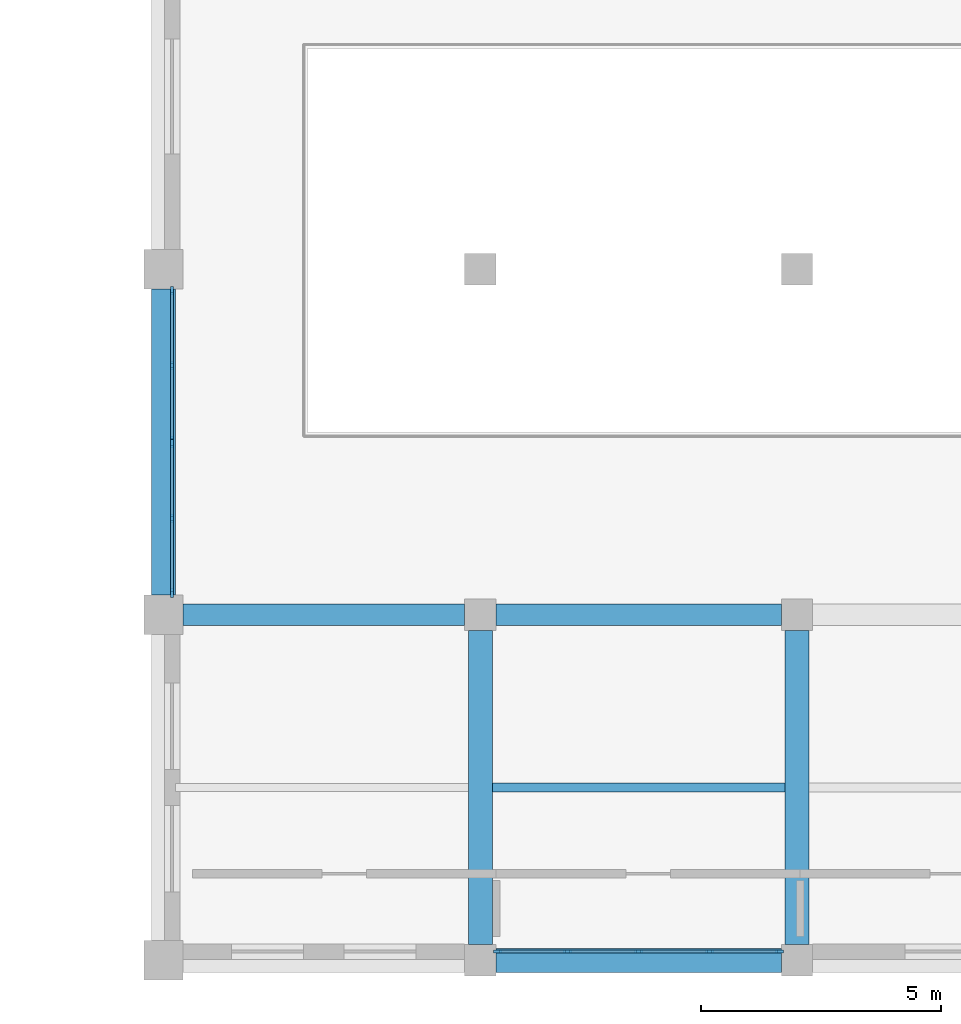
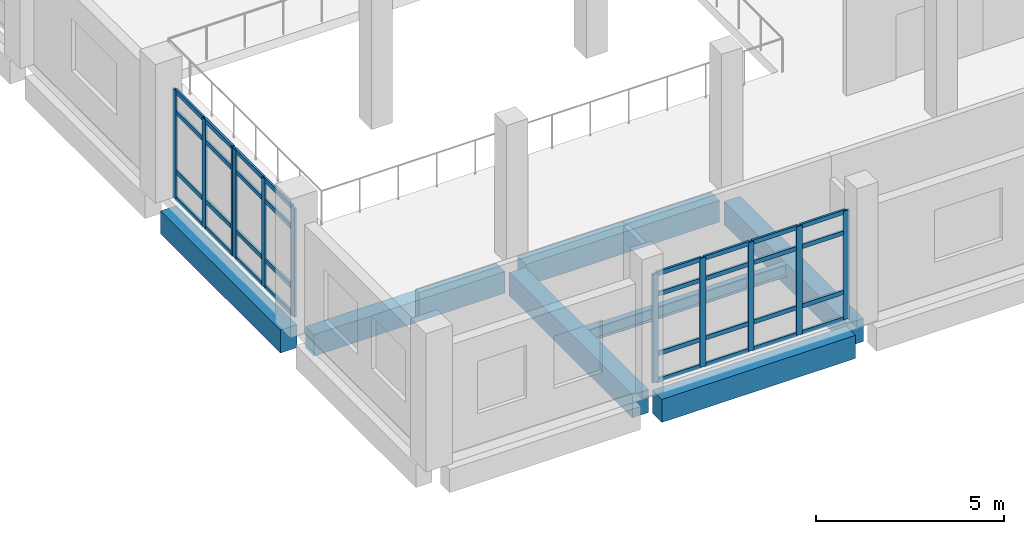
# One storey, part 3 of 54: 43 members, 7 beams, 3 elements without a shape of their own.
"""IFC4 building model written with IfcOpenShell, lengths in metres."""

from ifc_helpers import new_model, si_unit, direction, frame, origin, origin_2d, place, context, subcontext, project, spatial, rectangle, i_section, extrude, material, layer, layer_set, material_profile, profile_set, type_object, element, aggregate, save


model = new_model("IFC4")

# Units and contexts
model_context = context("Model", 3, precision=1e-05, world=origin(), true_north=direction((0.0, 1.0)))
body_context = subcontext(model_context, "Body", "Model", "MODEL_VIEW")
ifc_project = project(units=[si_unit("LENGTHUNIT", "METRE"), si_unit("AREAUNIT", "SQUARE_METRE"), si_unit("VOLUMEUNIT", "CUBIC_METRE"), si_unit("PLANEANGLEUNIT", "RADIAN"), si_unit("MASSUNIT", "GRAM", prefix="KILO")], contexts=[model_context])

# Site, building, storey
site_placement = place(None, origin())
site = spatial("IfcSite", under=ifc_project, at=site_placement, CompositionType="ELEMENT")
building_placement = place(site_placement, origin())
building = spatial("IfcBuilding", under=site, at=building_placement, Name="Kelarvand Opera House", CompositionType="ELEMENT")
storey_placement = place(building_placement, frame((0.0, 0.0, 15.0)))
storey = spatial("IfcBuildingStorey", under=building, at=storey_placement, Name="L03", CompositionType="ELEMENT", Elevation=15.0)

# Curtain wall, members
ifc_material_1 = material(Name="Thermally broken aluminium and low-E glazing", Category="aluminium")
ifc_layer_1 = layer(ifc_material_1, 0.179931640625, Name="Thermally broken aluminium and low-E glazing", Category="aluminium")
ifc_layer_set_1 = layer_set([ifc_layer_1], Name="Thermally broken aluminium and low-E glazing")
curtain_wall_type_1 = type_object("IfcCurtainWallType", Name="Unitised Low-E Curtain Wall 3176x3530 Mod 1350 CWF-59", PredefinedType="USERDEFINED", material=ifc_layer_set_1)
curtain_wall_1_placement = place(storey_placement, origin())
curtain_wall_1 = element("IfcCurtainWall", 1, at=curtain_wall_1_placement, inside=storey, type_object=curtain_wall_type_1, Name="V6 L03 Curtain Wall CWF-59 (234)", ObjectType="UNITISED CURTAIN WALL", PredefinedType="USERDEFINED")
ifc_material_2 = material(Name="Thermally broken anodised aluminium", Category="aluminium")
ifc_material_profile_1 = material_profile(ifc_material_2, rectangle(XDim=0.06494140625, YDim=0.179931640625, at=origin_2d()), Name="ALU MULLION 65x180", Category="aluminium")
ifc_profile_set_1 = profile_set([ifc_material_profile_1], Name="Thermally broken anodised aluminium")
member_type_1 = type_object("IfcMemberType", Name="Curtain Wall Mullion 65x180 Aluminium", PredefinedType="MULLION", material=ifc_profile_set_1)
member_1_placement = place(storey_placement, frame((89.179931640625, 16.652587890625, 0.0), z_axis=(0.0, 0.0, 1.0), x_axis=(-1.0, 0.0, 0.0)))
member_1 = element("IfcMember", 2, at=member_1_placement, type_object=member_type_1, Name="CWF-59 mullion 1", PredefinedType="MULLION", context=body_context, shape_type="SweptSolid", body=[
    extrude(rectangle(XDim=0.06494140625, YDim=0.179931640625, at=origin_2d()), origin(), (0.0, 0.0, 1.0), 3.530029296875),
])
member_2_placement = place(storey_placement, frame((89.179931640625, 18.2080078125, 0.0), z_axis=(0.0, 0.0, 1.0), x_axis=(-1.0, 0.0, 0.0)))
member_2 = element("IfcMember", 3, at=member_2_placement, type_object=member_type_1, Name="CWF-59 mullion 2", PredefinedType="MULLION", context=body_context, shape_type="SweptSolid", body=[
    extrude(rectangle(XDim=0.06494140625, YDim=0.179931640625, at=origin_2d()), origin(), (0.0, 0.0, 1.0), 3.530029296875),
])
member_3_placement = place(storey_placement, frame((89.179931640625, 19.763427734375, 0.0), z_axis=(0.0, 0.0, 1.0), x_axis=(-1.0, 0.0, 0.0)))
member_3 = element("IfcMember", 4, at=member_3_placement, type_object=member_type_1, Name="CWF-59 mullion 3", PredefinedType="MULLION", context=body_context, shape_type="SweptSolid", body=[
    extrude(rectangle(XDim=0.06494140625, YDim=0.179931640625, at=origin_2d()), origin(), (0.0, 0.0, 1.0), 3.530029296875),
])

curtain_wall_2_placement = place(storey_placement, origin())
curtain_wall_2 = element("IfcCurtainWall", 5, at=curtain_wall_2_placement, inside=storey, type_object=curtain_wall_type_1, Name="V6 L03 Curtain Wall CWF-59 (235)", ObjectType="UNITISED CURTAIN WALL", PredefinedType="USERDEFINED")
member_4_placement = place(storey_placement, frame((89.179931640625, 19.83251953125, 0.0), z_axis=(0.0, 0.0, 1.0), x_axis=(-1.0, 0.0, 0.0)))
member_4 = element("IfcMember", 6, at=member_4_placement, type_object=member_type_1, Name="CWF-59 mullion 1", PredefinedType="MULLION", context=body_context, shape_type="SweptSolid", body=[
    extrude(rectangle(XDim=0.06494140625, YDim=0.179931640625, at=origin_2d()), origin(), (0.0, 0.0, 1.0), 3.530029296875),
])
member_5_placement = place(storey_placement, frame((89.179931640625, 21.389892578125, 0.0), z_axis=(0.0, 0.0, 1.0), x_axis=(-1.0, 0.0, 0.0)))
member_5 = element("IfcMember", 7, at=member_5_placement, type_object=member_type_1, Name="CWF-59 mullion 2", PredefinedType="MULLION", context=body_context, shape_type="SweptSolid", body=[
    extrude(rectangle(XDim=0.06494140625, YDim=0.179931640625, at=origin_2d()), origin(), (0.0, 0.0, 1.0), 3.530029296875),
])
member_6_placement = place(storey_placement, frame((89.179931640625, 22.947509765625, 0.0), z_axis=(0.0, 0.0, 1.0), x_axis=(-1.0, 0.0, 0.0)))
member_6 = element("IfcMember", 8, at=member_6_placement, type_object=member_type_1, Name="CWF-59 mullion 3", PredefinedType="MULLION", context=body_context, shape_type="SweptSolid", body=[
    extrude(rectangle(XDim=0.06494140625, YDim=0.179931640625, at=origin_2d()), origin(), (0.0, 0.0, 1.0), 3.530029296875),
])

ifc_layer_2 = layer(ifc_material_1, 0.179931640625, Name="Thermally broken aluminium and low-E glazing", Category="aluminium")
ifc_layer_set_2 = layer_set([ifc_layer_2], Name="Thermally broken aluminium and low-E glazing")
curtain_wall_type_2 = type_object("IfcCurtainWallType", Name="Unitised Low-E Curtain Wall 5930x3530 Mod 1350 CWF-60", PredefinedType="USERDEFINED", material=ifc_layer_set_2)
curtain_wall_3_placement = place(storey_placement, origin())
curtain_wall_3 = element("IfcCurtainWall", 9, at=curtain_wall_3_placement, inside=storey, type_object=curtain_wall_type_2, Name="V6 L03 Curtain Wall CWF-60 (240)", ObjectType="UNITISED CURTAIN WALL", PredefinedType="USERDEFINED")
member_7_placement = place(storey_placement, frame((101.83251953125, 9.179931640625, 0.0), z_axis=(0.0, 0.0, 1.0), x_axis=(0.0, -1.0, 0.0)))
member_7 = element("IfcMember", 10, at=member_7_placement, type_object=member_type_1, Name="CWF-60 mullion 1", PredefinedType="MULLION", context=body_context, shape_type="SweptSolid", body=[
    extrude(rectangle(XDim=0.06494140625, YDim=0.179931640625, at=origin_2d()), origin(), (0.0, 0.0, 1.0), 3.530029296875),
])
member_8_placement = place(storey_placement, frame((100.382568359375, 9.179931640625, 0.0), z_axis=(0.0, 0.0, 1.0), x_axis=(0.0, -1.0, 0.0)))
member_8 = element("IfcMember", 11, at=member_8_placement, type_object=member_type_1, Name="CWF-60 mullion 2", PredefinedType="MULLION", context=body_context, shape_type="SweptSolid", body=[
    extrude(rectangle(XDim=0.06494140625, YDim=0.179931640625, at=origin_2d()), origin(), (0.0, 0.0, 1.0), 3.530029296875),
])
member_9_placement = place(storey_placement, frame((98.89990234375, 9.179931640625, 0.0), z_axis=(0.0, 0.0, 1.0), x_axis=(0.0, -1.0, 0.0)))
member_9 = element("IfcMember", 12, at=member_9_placement, type_object=member_type_1, Name="CWF-60 mullion 3", PredefinedType="MULLION", context=body_context, shape_type="SweptSolid", body=[
    extrude(rectangle(XDim=0.06494140625, YDim=0.179931640625, at=origin_2d()), origin(), (0.0, 0.0, 1.0), 3.530029296875),
])
member_10_placement = place(storey_placement, frame((97.41748046875, 9.179931640625, 0.0), z_axis=(0.0, 0.0, 1.0), x_axis=(0.0, -1.0, 0.0)))
member_10 = element("IfcMember", 13, at=member_10_placement, type_object=member_type_1, Name="CWF-60 mullion 4", PredefinedType="MULLION", context=body_context, shape_type="SweptSolid", body=[
    extrude(rectangle(XDim=0.06494140625, YDim=0.179931640625, at=origin_2d()), origin(), (0.0, 0.0, 1.0), 3.530029296875),
])
member_11_placement = place(storey_placement, frame((95.967529296875, 9.179931640625, 0.0), z_axis=(0.0, 0.0, 1.0), x_axis=(0.0, -1.0, 0.0)))
member_11 = element("IfcMember", 14, at=member_11_placement, type_object=member_type_1, Name="CWF-60 mullion 5", PredefinedType="MULLION", context=body_context, shape_type="SweptSolid", body=[
    extrude(rectangle(XDim=0.06494140625, YDim=0.179931640625, at=origin_2d()), origin(), (0.0, 0.0, 1.0), 3.530029296875),
])

# Member
ifc_material_profile_2 = material_profile(ifc_material_2, rectangle(XDim=0.06494140625, YDim=0.139892578125, at=origin_2d()), Name="ALU TRANSOM 65x140", Category="aluminium")
ifc_profile_set_2 = profile_set([ifc_material_profile_2], Name="Thermally broken anodised aluminium")
member_type_2 = type_object("IfcMemberType", Name="Curtain Wall Transom 65x140 Aluminium", PredefinedType="USERDEFINED", material=ifc_profile_set_2)
member_12_placement = place(storey_placement, frame((89.179931640625, 16.68505859375, 0.032470703125), z_axis=(0.0, 1.0, 0.0), x_axis=(-1.0, 0.0, 0.0)))
member_12 = element("IfcMember", 15, at=member_12_placement, type_object=member_type_2, Name="CWF-59 transom 1.1", ObjectType="TRANSOM", PredefinedType="USERDEFINED", context=body_context, shape_type="SweptSolid", body=[
    extrude(rectangle(XDim=0.06494140625, YDim=0.139892578125, at=origin_2d()), origin(), (0.0, 0.0, 1.0), 1.490478515625),
])

member_13_placement = place(storey_placement, frame((89.179931640625, 16.68505859375, 0.89990234375), z_axis=(0.0, 1.0, 0.0), x_axis=(-1.0, 0.0, 0.0)))
member_13 = element("IfcMember", 16, at=member_13_placement, type_object=member_type_2, Name="CWF-59 transom 1.2", ObjectType="TRANSOM", PredefinedType="USERDEFINED", context=body_context, shape_type="SweptSolid", body=[
    extrude(rectangle(XDim=0.06494140625, YDim=0.139892578125, at=origin_2d()), origin(), (0.0, 0.0, 1.0), 1.490478515625),
])

member_14_placement = place(storey_placement, frame((89.179931640625, 16.68505859375, 2.830078125), z_axis=(0.0, 1.0, 0.0), x_axis=(-1.0, 0.0, 0.0)))
member_14 = element("IfcMember", 17, at=member_14_placement, type_object=member_type_2, Name="CWF-59 transom 1.3", ObjectType="TRANSOM", PredefinedType="USERDEFINED", context=body_context, shape_type="SweptSolid", body=[
    extrude(rectangle(XDim=0.06494140625, YDim=0.139892578125, at=origin_2d()), origin(), (0.0, 0.0, 1.0), 1.490478515625),
])

member_15_placement = place(storey_placement, frame((89.179931640625, 16.68505859375, 3.49755859375), z_axis=(0.0, 1.0, 0.0), x_axis=(-1.0, 0.0, 0.0)))
member_15 = element("IfcMember", 18, at=member_15_placement, type_object=member_type_2, Name="CWF-59 transom 1.4", ObjectType="TRANSOM", PredefinedType="USERDEFINED", context=body_context, shape_type="SweptSolid", body=[
    extrude(rectangle(XDim=0.06494140625, YDim=0.139892578125, at=origin_2d()), origin(), (0.0, 0.0, 1.0), 1.490478515625),
])

member_16_placement = place(storey_placement, frame((89.179931640625, 18.240478515625, 0.032470703125), z_axis=(0.0, 1.0, 0.0), x_axis=(-1.0, 0.0, 0.0)))
member_16 = element("IfcMember", 19, at=member_16_placement, type_object=member_type_2, Name="CWF-59 transom 2.1", ObjectType="TRANSOM", PredefinedType="USERDEFINED", context=body_context, shape_type="SweptSolid", body=[
    extrude(rectangle(XDim=0.06494140625, YDim=0.139892578125, at=origin_2d()), origin(), (0.0, 0.0, 1.0), 1.490478515625),
])

member_17_placement = place(storey_placement, frame((89.179931640625, 18.240478515625, 0.89990234375), z_axis=(0.0, 1.0, 0.0), x_axis=(-1.0, 0.0, 0.0)))
member_17 = element("IfcMember", 20, at=member_17_placement, type_object=member_type_2, Name="CWF-59 transom 2.2", ObjectType="TRANSOM", PredefinedType="USERDEFINED", context=body_context, shape_type="SweptSolid", body=[
    extrude(rectangle(XDim=0.06494140625, YDim=0.139892578125, at=origin_2d()), origin(), (0.0, 0.0, 1.0), 1.490478515625),
])

member_18_placement = place(storey_placement, frame((89.179931640625, 18.240478515625, 2.830078125), z_axis=(0.0, 1.0, 0.0), x_axis=(-1.0, 0.0, 0.0)))
member_18 = element("IfcMember", 21, at=member_18_placement, type_object=member_type_2, Name="CWF-59 transom 2.3", ObjectType="TRANSOM", PredefinedType="USERDEFINED", context=body_context, shape_type="SweptSolid", body=[
    extrude(rectangle(XDim=0.06494140625, YDim=0.139892578125, at=origin_2d()), origin(), (0.0, 0.0, 1.0), 1.490478515625),
])

member_19_placement = place(storey_placement, frame((89.179931640625, 18.240478515625, 3.49755859375), z_axis=(0.0, 1.0, 0.0), x_axis=(-1.0, 0.0, 0.0)))
member_19 = element("IfcMember", 22, at=member_19_placement, type_object=member_type_2, Name="CWF-59 transom 2.4", ObjectType="TRANSOM", PredefinedType="USERDEFINED", context=body_context, shape_type="SweptSolid", body=[
    extrude(rectangle(XDim=0.06494140625, YDim=0.139892578125, at=origin_2d()), origin(), (0.0, 0.0, 1.0), 1.490478515625),
])

aggregate(curtain_wall_1, [member_1, member_2, member_3, member_12, member_13, member_14, member_15, member_16, member_17, member_18, member_19])

member_20_placement = place(storey_placement, frame((89.179931640625, 19.864990234375, 0.032470703125), z_axis=(0.0, 1.0, 0.0), x_axis=(-1.0, 0.0, 0.0)))
member_20 = element("IfcMember", 23, at=member_20_placement, type_object=member_type_2, Name="CWF-59 transom 1.1", ObjectType="TRANSOM", PredefinedType="USERDEFINED", context=body_context, shape_type="SweptSolid", body=[
    extrude(rectangle(XDim=0.06494140625, YDim=0.139892578125, at=origin_2d()), origin(), (0.0, 0.0, 1.0), 1.492431640625),
])

member_21_placement = place(storey_placement, frame((89.179931640625, 19.864990234375, 0.89990234375), z_axis=(0.0, 1.0, 0.0), x_axis=(-1.0, 0.0, 0.0)))
member_21 = element("IfcMember", 24, at=member_21_placement, type_object=member_type_2, Name="CWF-59 transom 1.2", ObjectType="TRANSOM", PredefinedType="USERDEFINED", context=body_context, shape_type="SweptSolid", body=[
    extrude(rectangle(XDim=0.06494140625, YDim=0.139892578125, at=origin_2d()), origin(), (0.0, 0.0, 1.0), 1.492431640625),
])

member_22_placement = place(storey_placement, frame((89.179931640625, 19.864990234375, 2.830078125), z_axis=(0.0, 1.0, 0.0), x_axis=(-1.0, 0.0, 0.0)))
member_22 = element("IfcMember", 25, at=member_22_placement, type_object=member_type_2, Name="CWF-59 transom 1.3", ObjectType="TRANSOM", PredefinedType="USERDEFINED", context=body_context, shape_type="SweptSolid", body=[
    extrude(rectangle(XDim=0.06494140625, YDim=0.139892578125, at=origin_2d()), origin(), (0.0, 0.0, 1.0), 1.492431640625),
])

member_23_placement = place(storey_placement, frame((89.179931640625, 19.864990234375, 3.49755859375), z_axis=(0.0, 1.0, 0.0), x_axis=(-1.0, 0.0, 0.0)))
member_23 = element("IfcMember", 26, at=member_23_placement, type_object=member_type_2, Name="CWF-59 transom 1.4", ObjectType="TRANSOM", PredefinedType="USERDEFINED", context=body_context, shape_type="SweptSolid", body=[
    extrude(rectangle(XDim=0.06494140625, YDim=0.139892578125, at=origin_2d()), origin(), (0.0, 0.0, 1.0), 1.492431640625),
])

member_24_placement = place(storey_placement, frame((89.179931640625, 21.422607421875, 0.032470703125), z_axis=(0.0, 1.0, 0.0), x_axis=(-1.0, 0.0, 0.0)))
member_24 = element("IfcMember", 27, at=member_24_placement, type_object=member_type_2, Name="CWF-59 transom 2.1", ObjectType="TRANSOM", PredefinedType="USERDEFINED", context=body_context, shape_type="SweptSolid", body=[
    extrude(rectangle(XDim=0.06494140625, YDim=0.139892578125, at=origin_2d()), origin(), (0.0, 0.0, 1.0), 1.492431640625),
])

member_25_placement = place(storey_placement, frame((89.179931640625, 21.422607421875, 0.89990234375), z_axis=(0.0, 1.0, 0.0), x_axis=(-1.0, 0.0, 0.0)))
member_25 = element("IfcMember", 28, at=member_25_placement, type_object=member_type_2, Name="CWF-59 transom 2.2", ObjectType="TRANSOM", PredefinedType="USERDEFINED", context=body_context, shape_type="SweptSolid", body=[
    extrude(rectangle(XDim=0.06494140625, YDim=0.139892578125, at=origin_2d()), origin(), (0.0, 0.0, 1.0), 1.492431640625),
])

member_26_placement = place(storey_placement, frame((89.179931640625, 21.422607421875, 2.830078125), z_axis=(0.0, 1.0, 0.0), x_axis=(-1.0, 0.0, 0.0)))
member_26 = element("IfcMember", 29, at=member_26_placement, type_object=member_type_2, Name="CWF-59 transom 2.3", ObjectType="TRANSOM", PredefinedType="USERDEFINED", context=body_context, shape_type="SweptSolid", body=[
    extrude(rectangle(XDim=0.06494140625, YDim=0.139892578125, at=origin_2d()), origin(), (0.0, 0.0, 1.0), 1.492431640625),
])

member_27_placement = place(storey_placement, frame((89.179931640625, 21.422607421875, 3.49755859375), z_axis=(0.0, 1.0, 0.0), x_axis=(-1.0, 0.0, 0.0)))
member_27 = element("IfcMember", 30, at=member_27_placement, type_object=member_type_2, Name="CWF-59 transom 2.4", ObjectType="TRANSOM", PredefinedType="USERDEFINED", context=body_context, shape_type="SweptSolid", body=[
    extrude(rectangle(XDim=0.06494140625, YDim=0.139892578125, at=origin_2d()), origin(), (0.0, 0.0, 1.0), 1.492431640625),
])

aggregate(curtain_wall_2, [member_4, member_5, member_6, member_20, member_21, member_22, member_23, member_24, member_25, member_26, member_27])

member_28_placement = place(storey_placement, frame((101.800048828125, 9.179931640625, 0.032470703125), z_axis=(-1.0, 0.0, 0.0), x_axis=(0.0, -1.0, 0.0)))
member_28 = element("IfcMember", 31, at=member_28_placement, type_object=member_type_2, Name="CWF-60 transom 1.1", ObjectType="TRANSOM", PredefinedType="USERDEFINED", context=body_context, shape_type="SweptSolid", body=[
    extrude(rectangle(XDim=0.06494140625, YDim=0.139892578125, at=origin_2d()), origin(), (0.0, 0.0, 1.0), 1.385009765625),
])

member_29_placement = place(storey_placement, frame((101.800048828125, 9.179931640625, 0.89990234375), z_axis=(-1.0, 0.0, 0.0), x_axis=(0.0, -1.0, 0.0)))
member_29 = element("IfcMember", 32, at=member_29_placement, type_object=member_type_2, Name="CWF-60 transom 1.2", ObjectType="TRANSOM", PredefinedType="USERDEFINED", context=body_context, shape_type="SweptSolid", body=[
    extrude(rectangle(XDim=0.06494140625, YDim=0.139892578125, at=origin_2d()), origin(), (0.0, 0.0, 1.0), 1.385009765625),
])

member_30_placement = place(storey_placement, frame((101.800048828125, 9.179931640625, 2.830078125), z_axis=(-1.0, 0.0, 0.0), x_axis=(0.0, -1.0, 0.0)))
member_30 = element("IfcMember", 33, at=member_30_placement, type_object=member_type_2, Name="CWF-60 transom 1.3", ObjectType="TRANSOM", PredefinedType="USERDEFINED", context=body_context, shape_type="SweptSolid", body=[
    extrude(rectangle(XDim=0.06494140625, YDim=0.139892578125, at=origin_2d()), origin(), (0.0, 0.0, 1.0), 1.385009765625),
])

member_31_placement = place(storey_placement, frame((101.800048828125, 9.179931640625, 3.49755859375), z_axis=(-1.0, 0.0, 0.0), x_axis=(0.0, -1.0, 0.0)))
member_31 = element("IfcMember", 34, at=member_31_placement, type_object=member_type_2, Name="CWF-60 transom 1.4", ObjectType="TRANSOM", PredefinedType="USERDEFINED", context=body_context, shape_type="SweptSolid", body=[
    extrude(rectangle(XDim=0.06494140625, YDim=0.139892578125, at=origin_2d()), origin(), (0.0, 0.0, 1.0), 1.385009765625),
])

member_32_placement = place(storey_placement, frame((100.35009765625, 9.179931640625, 0.032470703125), z_axis=(-1.0, 0.0, 0.0), x_axis=(0.0, -1.0, 0.0)))
member_32 = element("IfcMember", 35, at=member_32_placement, type_object=member_type_2, Name="CWF-60 transom 2.1", ObjectType="TRANSOM", PredefinedType="USERDEFINED", context=body_context, shape_type="SweptSolid", body=[
    extrude(rectangle(XDim=0.06494140625, YDim=0.139892578125, at=origin_2d()), origin(), (0.0, 0.0, 1.0), 1.41748046875),
])

member_33_placement = place(storey_placement, frame((100.35009765625, 9.179931640625, 0.89990234375), z_axis=(-1.0, 0.0, 0.0), x_axis=(0.0, -1.0, 0.0)))
member_33 = element("IfcMember", 36, at=member_33_placement, type_object=member_type_2, Name="CWF-60 transom 2.2", ObjectType="TRANSOM", PredefinedType="USERDEFINED", context=body_context, shape_type="SweptSolid", body=[
    extrude(rectangle(XDim=0.06494140625, YDim=0.139892578125, at=origin_2d()), origin(), (0.0, 0.0, 1.0), 1.41748046875),
])

member_34_placement = place(storey_placement, frame((100.35009765625, 9.179931640625, 2.830078125), z_axis=(-1.0, 0.0, 0.0), x_axis=(0.0, -1.0, 0.0)))
member_34 = element("IfcMember", 37, at=member_34_placement, type_object=member_type_2, Name="CWF-60 transom 2.3", ObjectType="TRANSOM", PredefinedType="USERDEFINED", context=body_context, shape_type="SweptSolid", body=[
    extrude(rectangle(XDim=0.06494140625, YDim=0.139892578125, at=origin_2d()), origin(), (0.0, 0.0, 1.0), 1.41748046875),
])

member_35_placement = place(storey_placement, frame((100.35009765625, 9.179931640625, 3.49755859375), z_axis=(-1.0, 0.0, 0.0), x_axis=(0.0, -1.0, 0.0)))
member_35 = element("IfcMember", 38, at=member_35_placement, type_object=member_type_2, Name="CWF-60 transom 2.4", ObjectType="TRANSOM", PredefinedType="USERDEFINED", context=body_context, shape_type="SweptSolid", body=[
    extrude(rectangle(XDim=0.06494140625, YDim=0.139892578125, at=origin_2d()), origin(), (0.0, 0.0, 1.0), 1.41748046875),
])

member_36_placement = place(storey_placement, frame((98.867431640625, 9.179931640625, 0.032470703125), z_axis=(-1.0, 0.0, 0.0), x_axis=(0.0, -1.0, 0.0)))
member_36 = element("IfcMember", 39, at=member_36_placement, type_object=member_type_2, Name="CWF-60 transom 3.1", ObjectType="TRANSOM", PredefinedType="USERDEFINED", context=body_context, shape_type="SweptSolid", body=[
    extrude(rectangle(XDim=0.06494140625, YDim=0.139892578125, at=origin_2d()), origin(), (0.0, 0.0, 1.0), 1.41748046875),
])

member_37_placement = place(storey_placement, frame((98.867431640625, 9.179931640625, 0.89990234375), z_axis=(-1.0, 0.0, 0.0), x_axis=(0.0, -1.0, 0.0)))
member_37 = element("IfcMember", 40, at=member_37_placement, type_object=member_type_2, Name="CWF-60 transom 3.2", ObjectType="TRANSOM", PredefinedType="USERDEFINED", context=body_context, shape_type="SweptSolid", body=[
    extrude(rectangle(XDim=0.06494140625, YDim=0.139892578125, at=origin_2d()), origin(), (0.0, 0.0, 1.0), 1.41748046875),
])

member_38_placement = place(storey_placement, frame((98.867431640625, 9.179931640625, 2.830078125), z_axis=(-1.0, 0.0, 0.0), x_axis=(0.0, -1.0, 0.0)))
member_38 = element("IfcMember", 41, at=member_38_placement, type_object=member_type_2, Name="CWF-60 transom 3.3", ObjectType="TRANSOM", PredefinedType="USERDEFINED", context=body_context, shape_type="SweptSolid", body=[
    extrude(rectangle(XDim=0.06494140625, YDim=0.139892578125, at=origin_2d()), origin(), (0.0, 0.0, 1.0), 1.41748046875),
])

member_39_placement = place(storey_placement, frame((98.867431640625, 9.179931640625, 3.49755859375), z_axis=(-1.0, 0.0, 0.0), x_axis=(0.0, -1.0, 0.0)))
member_39 = element("IfcMember", 42, at=member_39_placement, type_object=member_type_2, Name="CWF-60 transom 3.4", ObjectType="TRANSOM", PredefinedType="USERDEFINED", context=body_context, shape_type="SweptSolid", body=[
    extrude(rectangle(XDim=0.06494140625, YDim=0.139892578125, at=origin_2d()), origin(), (0.0, 0.0, 1.0), 1.41748046875),
])

member_40_placement = place(storey_placement, frame((97.385009765625, 9.179931640625, 0.032470703125), z_axis=(-1.0, 0.0, 0.0), x_axis=(0.0, -1.0, 0.0)))
member_40 = element("IfcMember", 43, at=member_40_placement, type_object=member_type_2, Name="CWF-60 transom 4.1", ObjectType="TRANSOM", PredefinedType="USERDEFINED", context=body_context, shape_type="SweptSolid", body=[
    extrude(rectangle(XDim=0.06494140625, YDim=0.139892578125, at=origin_2d()), origin(), (0.0, 0.0, 1.0), 1.385009765625),
])

member_41_placement = place(storey_placement, frame((97.385009765625, 9.179931640625, 0.89990234375), z_axis=(-1.0, 0.0, 0.0), x_axis=(0.0, -1.0, 0.0)))
member_41 = element("IfcMember", 44, at=member_41_placement, type_object=member_type_2, Name="CWF-60 transom 4.2", ObjectType="TRANSOM", PredefinedType="USERDEFINED", context=body_context, shape_type="SweptSolid", body=[
    extrude(rectangle(XDim=0.06494140625, YDim=0.139892578125, at=origin_2d()), origin(), (0.0, 0.0, 1.0), 1.385009765625),
])

member_42_placement = place(storey_placement, frame((97.385009765625, 9.179931640625, 2.830078125), z_axis=(-1.0, 0.0, 0.0), x_axis=(0.0, -1.0, 0.0)))
member_42 = element("IfcMember", 45, at=member_42_placement, type_object=member_type_2, Name="CWF-60 transom 4.3", ObjectType="TRANSOM", PredefinedType="USERDEFINED", context=body_context, shape_type="SweptSolid", body=[
    extrude(rectangle(XDim=0.06494140625, YDim=0.139892578125, at=origin_2d()), origin(), (0.0, 0.0, 1.0), 1.385009765625),
])

member_43_placement = place(storey_placement, frame((97.385009765625, 9.179931640625, 3.49755859375), z_axis=(-1.0, 0.0, 0.0), x_axis=(0.0, -1.0, 0.0)))
member_43 = element("IfcMember", 46, at=member_43_placement, type_object=member_type_2, Name="CWF-60 transom 4.4", ObjectType="TRANSOM", PredefinedType="USERDEFINED", context=body_context, shape_type="SweptSolid", body=[
    extrude(rectangle(XDim=0.06494140625, YDim=0.139892578125, at=origin_2d()), origin(), (0.0, 0.0, 1.0), 1.385009765625),
])

aggregate(curtain_wall_3, [member_7, member_8, member_9, member_10, member_11, member_28, member_29, member_30, member_31, member_32, member_33, member_34, member_35, member_36, member_37, member_38, member_39, member_40, member_41, member_42, member_43])

# Beams
ifc_material_3 = material(Name="Concrete C40/50", Category="concrete")
ifc_material_profile_3 = material_profile(ifc_material_3, rectangle(XDim=0.449951171875, YDim=0.699951171875, at=origin_2d()), Name="RC 450x700", Category="concrete")
ifc_profile_set_3 = profile_set([ifc_material_profile_3], Name="Concrete C40/50")
beam_type_1 = type_object("IfcBeamType", Name="Structural Beam RC 450x700 BM-RC450x700", PredefinedType="BEAM", material=ifc_profile_set_3)
beam_1_placement = place(storey_placement, frame((89.409912109375, 16.199951171875, -0.64990234375), z_axis=(1.0, 0.0, 0.0), x_axis=(0.0, 1.0, 0.0)))
element("IfcBeam", 47, at=beam_1_placement, inside=storey, type_object=beam_type_1, Name="V6 L03 Beam BM-RC450x700", PredefinedType="BEAM", context=body_context, shape_type="SweptSolid", body=[
    extrude(rectangle(XDim=0.449951171875, YDim=0.699951171875, at=origin_2d()), origin(), (0.0, 0.0, 1.0), 5.864990234375),
])
beam_2_placement = place(storey_placement, frame((95.925048828125, 16.199951171875, -0.64990234375), z_axis=(1.0, 0.0, 0.0), x_axis=(0.0, 1.0, 0.0)))
element("IfcBeam", 48, at=beam_2_placement, inside=storey, type_object=beam_type_1, Name="V6 L03 Beam BM-RC450x700", PredefinedType="BEAM", context=body_context, shape_type="SweptSolid", body=[
    extrude(rectangle(XDim=0.449951171875, YDim=0.699951171875, at=origin_2d()), origin(), (0.0, 0.0, 1.0), 5.949951171875),
])
ifc_material_profile_4 = material_profile(ifc_material_3, rectangle(XDim=0.5, YDim=0.75, at=origin_2d()), Name="RC 500x750", Category="concrete")
ifc_profile_set_4 = profile_set([ifc_material_profile_4], Name="Concrete C40/50")
beam_type_2 = type_object("IfcBeamType", Name="Structural Beam RC 500x750 BM-RC500x750", PredefinedType="BEAM", material=ifc_profile_set_4)
for number, where, z_axis, x_axis, name in (
    (49, (95.60009765625, 9.324951171875, -0.675048828125), (0.0, 1.0, 0.0), (-1.0, 0.0, 0.0), "V6 L03 Beam BM-RC500x750"),
    (50, (102.199951171875, 9.324951171875, -0.675048828125), (0.0, 1.0, 0.0), (-1.0, 0.0, 0.0), "V6 L03 Beam BM-RC500x750"),
):
    element("IfcBeam", number, at=place(storey_placement, frame(where, z_axis=z_axis, x_axis=x_axis)), inside=storey, type_object=beam_type_2, Name=name, PredefinedType="BEAM", context=body_context, shape_type="SweptSolid", body=[
        extrude(rectangle(XDim=0.5, YDim=0.75, at=origin_2d()), origin(), (0.0, 0.0, 1.0), 6.550048828125),
    ])
ifc_material_4 = material(Name="Steel S355", Category="steel")
ifc_material_profile_5 = material_profile(ifc_material_4, i_section(OverallWidth=0.179931640625, OverallDepth=0.39990234375, WebThickness=0.008544921875, FlangeThickness=0.013427734375, at=origin_2d()), Name="IPE 400", Category="steel")
ifc_profile_set_5 = profile_set([ifc_material_profile_5], Name="Steel S355")
beam_type_3 = type_object("IfcBeamType", Name="Structural Joist IPE 400 JS-IPE400", PredefinedType="JOIST", material=ifc_profile_set_5)
beam_3_placement = place(storey_placement, frame((95.85009765625, 12.60009765625, -0.5), z_axis=(1.0, 0.0, 0.0), x_axis=(0.0, 1.0, 0.0)))
element("IfcBeam", 51, at=beam_3_placement, inside=storey, type_object=beam_type_3, Name="V6 L03 Beam JS-IPE400", PredefinedType="JOIST", context=body_context, shape_type="SweptSolid", body=[
    extrude(i_section(OverallWidth=0.179931640625, OverallDepth=0.39990234375, WebThickness=0.008544921875, FlangeThickness=0.013427734375, at=origin_2d()), origin(), (0.0, 0.0, 1.0), 6.099853515625),
])
ifc_material_profile_6 = material_profile(ifc_material_3, rectangle(XDim=0.5, YDim=0.75, at=origin_2d()), Name="RC 500x750", Category="concrete")
ifc_profile_set_6 = profile_set([ifc_material_profile_6], Name="Concrete C40/50")
beam_type_4 = type_object("IfcBeamType", Name="Structural Spandrel RC 500x750 SP-RC500x750E", PredefinedType="SPANDREL", material=ifc_profile_set_6)
beam_4_placement = place(storey_placement, frame((95.925048828125, 9.0, -0.675048828125), z_axis=(1.0, 0.0, 0.0), x_axis=(0.0, 1.0, 0.0)))
element("IfcBeam", 52, at=beam_4_placement, inside=storey, type_object=beam_type_4, Name="V6 L03 Beam SP-RC500x750E", PredefinedType="SPANDREL", context=body_context, shape_type="SweptSolid", body=[
    extrude(rectangle(XDim=0.5, YDim=0.75, at=origin_2d()), origin(), (0.0, 0.0, 1.0), 5.949951171875),
])
beam_5_placement = place(storey_placement, frame((89.0, 16.610107421875, -0.675048828125), z_axis=(0.0, 1.0, 0.0), x_axis=(-1.0, 0.0, 0.0)))
element("IfcBeam", 53, at=beam_5_placement, inside=storey, type_object=beam_type_4, Name="V6 L03 Beam SP-RC500x750E", PredefinedType="SPANDREL", context=body_context, shape_type="SweptSolid", body=[
    extrude(rectangle(XDim=0.5, YDim=0.75, at=origin_2d()), origin(), (0.0, 0.0, 1.0), 6.3798828125),
])

save(model, "model.ifc")
